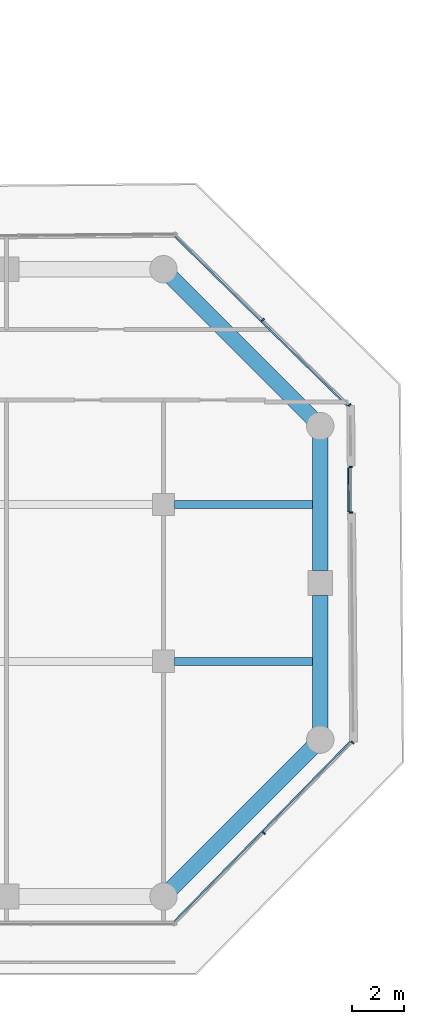
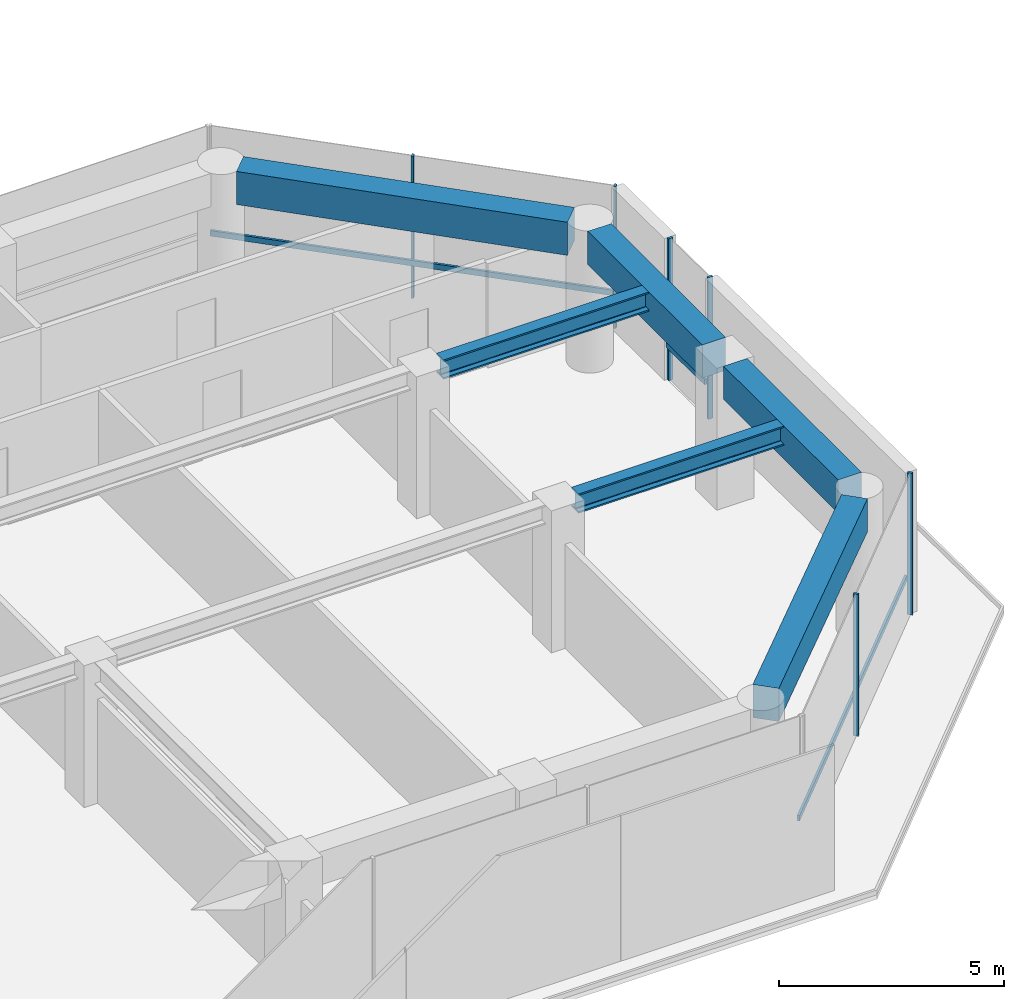
# One storey, part 19 of 28: 9 members, 6 beams, 3 elements without a shape of their own.
"""IFC4 building model written with IfcOpenShell, lengths in metres."""

from ifc_helpers import new_model, si_unit, direction, frame, origin, origin_2d, place, context, subcontext, project, spatial, rectangle, i_section, extrude, material, layer, layer_set, material_profile, profile_set, type_object, element, aggregate, save


model = new_model("IFC4")

# Units and contexts
model_context = context("Model", 3, precision=1e-05, world=origin(), true_north=direction((0.0, 1.0)))
body_context = subcontext(model_context, "Body", "Model", "MODEL_VIEW")
ifc_project = project(units=[si_unit("LENGTHUNIT", "METRE"), si_unit("AREAUNIT", "SQUARE_METRE"), si_unit("VOLUMEUNIT", "CUBIC_METRE"), si_unit("PLANEANGLEUNIT", "RADIAN"), si_unit("MASSUNIT", "GRAM", prefix="KILO")], contexts=[model_context])

# Site, building, storey
site_placement = place(None, origin())
site = spatial("IfcSite", under=ifc_project, at=site_placement, CompositionType="ELEMENT")
building_placement = place(site_placement, origin())
building = spatial("IfcBuilding", under=site, at=building_placement, Name="Welwitschia Terrace Campus", CompositionType="ELEMENT")
storey_placement = place(building_placement, frame((0.0, 0.0, 54.199951171875)))
storey = spatial("IfcBuildingStorey", under=building, at=storey_placement, Name="L12", CompositionType="ELEMENT", Elevation=54.199951171875)

# Beams
ifc_material_1 = material(Name="Steel S355", Category="steel")
ifc_material_profile_1 = material_profile(ifc_material_1, i_section(OverallWidth=0.305908203125, OverallDepth=0.52392578125, WebThickness=0.02099609375, FlangeThickness=0.0400390625, FilletRadius=0.027099609375, at=origin_2d()))
ifc_profile_set_1 = profile_set([ifc_material_profile_1], Name="Steel S355")
beam_type_1 = type_object("IfcBeamType", Name="Interior girder HE 500 M", PredefinedType="BEAM", material=ifc_profile_set_1)
for number, where, z_axis, x_axis, name in (
    (1, (60.425537109375, 5.0, 3.588134765625), (1.0, 0.0, 0.0), (0.0, 1.0, 0.0), "Girder GB2"),
    (2, (60.425537109375, 11.0, 3.588134765625), (1.0, 0.0, 0.0), (0.0, 1.0, 0.0), "Girder GB2"),
):
    element("IfcBeam", number, at=place(storey_placement, frame(where, z_axis=z_axis, x_axis=x_axis)), inside=storey, type_object=beam_type_1, Name=name, PredefinedType="BEAM", context=body_context, shape_type="SweptSolid", body=[
        extrude(i_section(OverallWidth=0.305908203125, OverallDepth=0.52392578125, WebThickness=0.02099609375, FlangeThickness=0.0400390625, FilletRadius=0.027099609375, at=origin_2d()), origin(), (0.0, 0.0, 1.0), 5.58447265625),
    ])

# Curtain wall, members
ifc_material_2 = material(Name="Bronze anodised aluminium", Category="aluminium")
ifc_layer = layer(ifc_material_2, 0.1201171875)
ifc_layer_set = layer_set([ifc_layer], Name="Bronze anodised aluminium")
curtain_wall_type = type_object("IfcCurtainWallType", Name="Curtain wall CW2 tower 6000", PredefinedType="NOTDEFINED", material=ifc_layer_set)
curtain_wall_1_placement = place(storey_placement, origin())
curtain_wall_1 = element("IfcCurtainWall", 3, at=curtain_wall_1_placement, inside=storey, type_object=curtain_wall_type, Name="CW L12.5.0", PredefinedType="NOTDEFINED")
ifc_material_3 = material(Name="Bronze anodised aluminium", Category="aluminium")
ifc_material_profile_2 = material_profile(ifc_material_3, rectangle(XDim=0.1201171875, YDim=0.06005859375, at=origin_2d()))
ifc_profile_set_2 = profile_set([ifc_material_profile_2], Name="Bronze anodised aluminium")
member_type_1 = type_object("IfcMemberType", Name="Mullion 60x120", PredefinedType="MULLION", material=ifc_profile_set_2)
member_1_placement = place(storey_placement, frame((63.8466796875, -1.573974609375, 0.0), z_axis=(0.0, 0.0, 1.0), x_axis=(-0.714848648986, 0.699279206786, 0.0)))
member_1 = element("IfcMember", 4, at=member_1_placement, type_object=member_type_1, Name="Mullion L12.5.0.1", PredefinedType="MULLION", context=body_context, shape_type="SweptSolid", body=[
    extrude(rectangle(XDim=0.1201171875, YDim=0.06005859375, at=origin_2d()), origin(), (0.0, 0.0, 1.0), 3.85009765625),
])
member_2_placement = place(storey_placement, frame((67.23388671875, 1.888427734375, 0.0), z_axis=(0.0, 0.0, 1.0), x_axis=(-0.714848648986, 0.699279206786, 0.0)))
member_2 = element("IfcMember", 5, at=member_2_placement, type_object=member_type_1, Name="Mullion L12.5.0.2", PredefinedType="MULLION", context=body_context, shape_type="SweptSolid", body=[
    extrude(rectangle(XDim=0.1201171875, YDim=0.06005859375, at=origin_2d()), origin(), (0.0, 0.0, 1.0), 3.85009765625),
])

curtain_wall_2_placement = place(storey_placement, origin())
curtain_wall_2 = element("IfcCurtainWall", 6, at=curtain_wall_2_placement, inside=storey, type_object=curtain_wall_type, Name="CW L12.6.S0", PredefinedType="NOTDEFINED")
member_3_placement = place(storey_placement, frame((67.177978515625, 10.69677734375, 0.0), z_axis=(0.0, 0.0, 1.0), x_axis=(-0.999961923064, -0.008726535498, 0.0)))
member_3 = element("IfcMember", 7, at=member_3_placement, type_object=member_type_1, Name="Mullion L12.6.S0.0", PredefinedType="MULLION", context=body_context, shape_type="SweptSolid", body=[
    extrude(rectangle(XDim=0.1201171875, YDim=0.06005859375, at=origin_2d()), origin(), (0.0, 0.0, 1.0), 3.85009765625),
])
member_4_placement = place(storey_placement, frame((67.162841796875, 12.436767578125, 0.0), z_axis=(0.0, 0.0, 1.0), x_axis=(-0.999961923064, -0.008726535498, 0.0)))
member_4 = element("IfcMember", 8, at=member_4_placement, type_object=member_type_1, Name="Mullion L12.6.S0.1", PredefinedType="MULLION", context=body_context, shape_type="SweptSolid", body=[
    extrude(rectangle(XDim=0.1201171875, YDim=0.06005859375, at=origin_2d()), origin(), (0.0, 0.0, 1.0), 3.85009765625),
])

curtain_wall_3_placement = place(storey_placement, origin())
curtain_wall_3 = element("IfcCurtainWall", 9, at=curtain_wall_3_placement, inside=storey, type_object=curtain_wall_type, Name="CW L12.7.0", PredefinedType="NOTDEFINED")
member_5_placement = place(storey_placement, frame((67.12109375, 14.806884765625, 0.0), z_axis=(0.0, 0.0, 1.0), x_axis=(-0.7009092643, -0.713250449154, 0.0)))
member_5 = element("IfcMember", 10, at=member_5_placement, type_object=member_type_1, Name="Mullion L12.7.0.0", PredefinedType="MULLION", context=body_context, shape_type="SweptSolid", body=[
    extrude(rectangle(XDim=0.1201171875, YDim=0.06005859375, at=origin_2d()), origin(), (0.0, 0.0, 1.0), 3.85009765625),
])
member_6_placement = place(storey_placement, frame((63.8037109375, 18.066650390625, 0.0), z_axis=(0.0, 0.0, 1.0), x_axis=(-0.7009092643, -0.713250449154, 0.0)))
member_6 = element("IfcMember", 11, at=member_6_placement, type_object=member_type_1, Name="Mullion L12.7.0.1", PredefinedType="MULLION", context=body_context, shape_type="SweptSolid", body=[
    extrude(rectangle(XDim=0.1201171875, YDim=0.06005859375, at=origin_2d()), origin(), (0.0, 0.0, 1.0), 3.85009765625),
])

# Beams
ifc_material_4 = material(Name="Concrete C60/75", Category="concrete")
ifc_material_profile_3 = material_profile(ifc_material_4, rectangle(XDim=0.60009765625, YDim=0.89990234375, at=origin_2d()))
ifc_profile_set_3 = profile_set([ifc_material_profile_3], Name="Concrete C60/75")
beam_type_2 = type_object("IfcBeamType", Name="Ring spandrel 600x900", PredefinedType="SPANDREL", material=ifc_profile_set_3)
beam_1_placement = place(storey_placement, frame((60.30517578125, -3.69482421875, 3.400146484375), z_axis=(0.707106781187, 0.707106781187, 0.0), x_axis=(-0.707106781187, 0.707106781187, 0.0)))
element("IfcBeam", 12, at=beam_1_placement, inside=storey, type_object=beam_type_2, Name="Spandrel SP2", PredefinedType="SPANDREL", context=body_context, shape_type="SweptSolid", body=[
    extrude(rectangle(XDim=0.60009765625, YDim=0.89990234375, at=origin_2d()), origin(), (0.0, 0.0, 1.0), 7.6220703125),
])
for number, where, z_axis, x_axis, name in (
    (13, (66.0, 2.431396484375, 3.400146484375), (0.0, 1.0, 0.0), (-1.0, 0.0, 0.0), "Spandrel SP2"),
    (14, (66.0, 8.4755859375, 3.400146484375), (0.0, 1.0, 0.0), (-1.0, 0.0, 0.0), "Spandrel SP2"),
):
    element("IfcBeam", number, at=place(storey_placement, frame(where, z_axis=z_axis, x_axis=x_axis)), inside=storey, type_object=beam_type_2, Name=name, PredefinedType="SPANDREL", context=body_context, shape_type="SweptSolid", body=[
        extrude(rectangle(XDim=0.60009765625, YDim=0.89990234375, at=origin_2d()), origin(), (0.0, 0.0, 1.0), 5.093017578125),
    ])
beam_2_placement = place(storey_placement, frame((65.69482421875, 14.30517578125, 3.400146484375), z_axis=(-0.707106781187, 0.707106781187, 0.0), x_axis=(-0.707106781187, -0.707106781187, 0.0)))
element("IfcBeam", 15, at=beam_2_placement, inside=storey, type_object=beam_type_2, Name="Spandrel SP2", PredefinedType="SPANDREL", context=body_context, shape_type="SweptSolid", body=[
    extrude(rectangle(XDim=0.60009765625, YDim=0.89990234375, at=origin_2d()), origin(), (0.0, 0.0, 1.0), 7.6220703125),
])

# Member
ifc_material_5 = material(Name="Bronze anodised aluminium", Category="aluminium")
ifc_material_profile_4 = material_profile(ifc_material_5, rectangle(XDim=0.06005859375, YDim=0.14990234375, at=origin_2d()))
ifc_profile_set_4 = profile_set([ifc_material_profile_4], Name="Bronze anodised aluminium")
member_type_2 = type_object("IfcMemberType", Name="Transom 60x150", PredefinedType="USERDEFINED", material=ifc_profile_set_4)
member_7_placement = place(storey_placement, frame((60.416259765625, -4.9521484375, 1.0), z_axis=(0.699278661781, 0.71484918212, 0.0), x_axis=(-0.71484918212, 0.699278661781, 0.0)))
member_7 = element("IfcMember", 16, at=member_7_placement, type_object=member_type_2, Name="Transom L12.5.0", ObjectType="TRANSOM", PredefinedType="USERDEFINED", context=body_context, shape_type="SweptSolid", body=[
    extrude(rectangle(XDim=0.06005859375, YDim=0.14990234375, at=origin_2d()), origin(), (0.0, 0.0, 1.0), 9.627197265625),
])

aggregate(curtain_wall_1, [member_1, member_2, member_7])

member_8_placement = place(storey_placement, frame((67.087890625, 10.72607421875, 1.0), z_axis=(-0.00871933137, 0.999961985908, 0.0), x_axis=(-0.999961985908, -0.00871933137, 0.0)))
member_8 = element("IfcMember", 17, at=member_8_placement, type_object=member_type_2, Name="Transom L12.6.S0", ObjectType="TRANSOM", PredefinedType="USERDEFINED", context=body_context, shape_type="SweptSolid", body=[
    extrude(rectangle(XDim=0.06005859375, YDim=0.14990234375, at=origin_2d()), origin(), (0.0, 0.0, 1.0), 1.679931640625),
])

aggregate(curtain_wall_2, [member_3, member_4, member_8])

member_9_placement = place(storey_placement, frame((67.03662109375, 14.763671875, 1.0), z_axis=(-0.713261359038, 0.700898162148, 0.0), x_axis=(-0.700898162148, -0.713261359038, 0.0)))
member_9 = element("IfcMember", 18, at=member_9_placement, type_object=member_type_2, Name="Transom L12.7.0", ObjectType="TRANSOM", PredefinedType="USERDEFINED", context=body_context, shape_type="SweptSolid", body=[
    extrude(rectangle(XDim=0.06005859375, YDim=0.14990234375, at=origin_2d()), origin(), (0.0, 0.0, 1.0), 9.24169921875),
])

aggregate(curtain_wall_3, [member_5, member_6, member_9])

save(model, "model.ifc")
